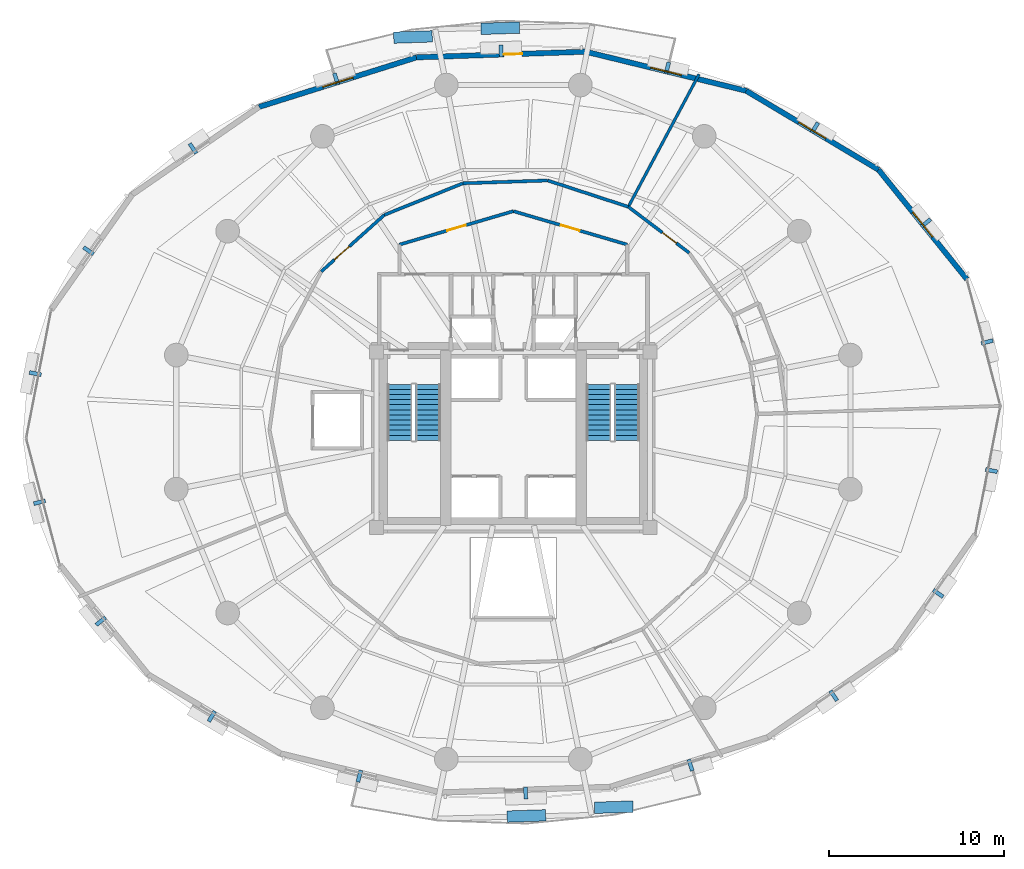
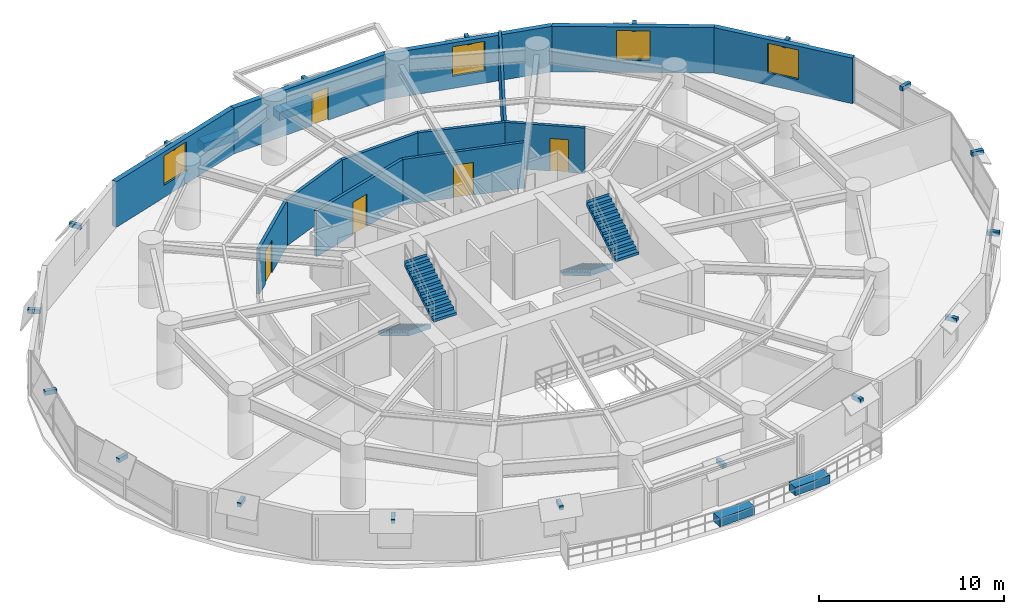
# One storey, part 12 of 15: 22 discrete accessories, 13 walls, 5 doors, 4 stair flights, 4 windows, 9 openings, 2 elements without a shape of their own.
"""IFC4 building model written with IfcOpenShell, lengths in metres."""

from ifc_helpers import new_model, si_unit, direction, frame, frame_2d, origin, origin_2d, place, context, subcontext, project, spatial, polyline, rectangle, outline, extrude, material, layer, layer_set, type_object, element, fill, aggregate, save


model = new_model("IFC4")

# Units and contexts
model_context = context("Model", 3, precision=1e-05, world=origin(), true_north=direction((0.0, 1.0)))
body_context = subcontext(model_context, "Body", "Model", "MODEL_VIEW")
ifc_project = project(units=[si_unit("LENGTHUNIT", "METRE"), si_unit("AREAUNIT", "SQUARE_METRE"), si_unit("VOLUMEUNIT", "CUBIC_METRE"), si_unit("PLANEANGLEUNIT", "RADIAN"), si_unit("MASSUNIT", "GRAM", prefix="KILO"), si_unit("THERMODYNAMICTEMPERATUREUNIT", "KELVIN"), si_unit("POWERUNIT", "WATT")], contexts=[model_context])

# Site, building, storey
site_placement = place(None, origin())
site = spatial("IfcSite", under=ifc_project, at=site_placement, CompositionType="ELEMENT")
building_placement = place(site_placement, origin())
building = spatial("IfcBuilding", under=site, at=building_placement, Name="Ocrelia Relay Tower", CompositionType="ELEMENT")
storey_placement = place(building_placement, frame((0.0, 0.0, 38.39990234375)))
storey = spatial("IfcBuildingStorey", under=building, at=storey_placement, Name="L08", CompositionType="ELEMENT", Elevation=38.39990234375)

# Wall, opening, door
ifc_material_1 = material(Name="Gypsum Fireboard Partition EI60", Category="gypsum")
ifc_layer_1 = layer(ifc_material_1, 0.179931640625, Name="Gypsum Fireboard Partition EI60")
ifc_layer_set_1 = layer_set([ifc_layer_1], Name="Gypsum Fireboard Partition EI60")
wall_type_1 = type_object("IfcWallType", Name="W-CORR-EI60-180", PredefinedType="PARTITIONING", material=ifc_layer_set_1)
wall_1_placement = place(storey_placement, frame((27.5, 36.122802734375, 0.0), z_axis=(0.0, 0.0, 1.0), x_axis=(0.959546654541, 0.281549671923, 0.0)))
wall_1 = element("IfcWall", 1, at=wall_1_placement, inside=storey, type_object=wall_type_1, Name="L08 North Smoke Lobby W Screen Wall", PredefinedType="PARTITIONING", context=body_context, shape_type="SweptSolid", body=[
    extrude(rectangle(XDim=6.77392578125, YDim=0.179931640625, at=frame_2d((3.386962890625, 0.0))), origin(), (0.0, 0.0, 1.0), 3.0),
])
opening_1_placement = place(wall_1_placement, frame((2.8369140625, 0.0, 0.0)))
opening_1 = element("IfcOpeningElement", 2, at=opening_1_placement, cuts=wall_1, Name="Opening D-FD60", PredefinedType="OPENING", context=body_context, shape_type="SweptSolid", body=[
    extrude(rectangle(XDim=1.10009765625, YDim=2.14990234375, at=frame_2d((0.550048828125, 1.074951171875))), frame((0.0, 0.10009765625, 0.0), z_axis=(0.0, -1.0, 0.0), x_axis=(1.0, 0.0, 0.0)), (0.0, 0.0, 1.0), 0.199951171875),
])
ifc_material_2 = material(Name="Timber-core 60-min acoustic fire door", Category="wood")
door_type_1 = type_object("IfcDoorType", Name="DR-LOBBY-FD60-1100", OperationType="NOTDEFINED", PredefinedType="DOOR", material=ifc_material_2)
door_1_placement = place(opening_1_placement, origin())
door_1 = element("IfcDoor", 3, at=door_1_placement, inside=storey, type_object=door_type_1, Name="L08 North Smoke Lobby W Fire Door", OperationType="SINGLE_SWING_RIGHT", OverallHeight=2.14990234375, OverallWidth=1.10009765625, PredefinedType="DOOR", context=body_context, shape_type="SweptSolid", body=[
    extrude(rectangle(XDim=1.10009765625, YDim=2.14990234375, at=frame_2d((0.550048828125, 1.074951171875))), frame((0.0, 0.02490234375, 0.0), z_axis=(0.0, -1.0, 0.0), x_axis=(1.0, 0.0, 0.0)), (0.0, 0.0, 1.0), 0.050048828125),
])
fill(opening_1, door_1)

wall_2_placement = place(storey_placement, frame((34.0, 38.030029296875, 0.0), z_axis=(0.0, 0.0, 1.0), x_axis=(0.959546654541, -0.281549671923, 0.0)))
wall_2 = element("IfcWall", 4, at=wall_2_placement, inside=storey, type_object=wall_type_1, Name="L08 North Smoke Lobby E Screen Wall", PredefinedType="PARTITIONING", context=body_context, shape_type="SweptSolid", body=[
    extrude(rectangle(XDim=6.77392578125, YDim=0.179931640625, at=frame_2d((3.386962890625, 0.0))), origin(), (0.0, 0.0, 1.0), 3.0),
])
opening_2_placement = place(wall_2_placement, frame((2.8369140625, 0.0, 0.0)))
opening_2 = element("IfcOpeningElement", 5, at=opening_2_placement, cuts=wall_2, Name="Opening D-FD60", PredefinedType="OPENING", context=body_context, shape_type="SweptSolid", body=[
    extrude(rectangle(XDim=1.10009765625, YDim=2.14990234375, at=frame_2d((0.550048828125, 1.074951171875))), frame((0.0, 0.10009765625, 0.0), z_axis=(0.0, -1.0, 0.0), x_axis=(1.0, 0.0, 0.0)), (0.0, 0.0, 1.0), 0.199951171875),
])
door_2_placement = place(opening_2_placement, origin())
door_2 = element("IfcDoor", 6, at=door_2_placement, inside=storey, type_object=door_type_1, Name="L08 North Smoke Lobby E Fire Door", OperationType="SINGLE_SWING_LEFT", OverallHeight=2.14990234375, OverallWidth=1.10009765625, PredefinedType="DOOR", context=body_context, shape_type="SweptSolid", body=[
    extrude(rectangle(XDim=1.10009765625, YDim=2.14990234375, at=frame_2d((0.550048828125, 1.074951171875))), frame((0.0, 0.02490234375, 0.0), z_axis=(0.0, -1.0, 0.0), x_axis=(1.0, 0.0, 0.0)), (0.0, 0.0, 1.0), 0.050048828125),
])
fill(opening_2, door_2)

wall_3_placement = place(storey_placement, frame((44.030029296875, 35.652099609375, 0.0), z_axis=(0.0, 0.0, 1.0), x_axis=(-0.797571843353, 0.603223967271, 0.0)))
wall_3 = element("IfcWall", 7, at=wall_3_placement, inside=storey, type_object=wall_type_1, Name="L08 Operations Control Office Corridor Partition 2", PredefinedType="PARTITIONING", context=body_context, shape_type="SweptSolid", body=[
    extrude(rectangle(XDim=4.355224609375, YDim=0.179931640625, at=frame_2d((2.177734375, 0.0))), origin(), (0.0, 0.0, 1.0), 3.0),
])
opening_3_placement = place(wall_3_placement, frame((0.913818359375, 0.0, 0.0)))
opening_3 = element("IfcOpeningElement", 8, at=opening_3_placement, cuts=wall_3, Name="Opening D-RM100", PredefinedType="OPENING", context=body_context, shape_type="SweptSolid", body=[
    extrude(rectangle(XDim=1.0, YDim=2.14990234375, at=frame_2d((0.5, 1.074951171875))), frame((0.0, 0.10009765625, 0.0), z_axis=(0.0, -1.0, 0.0), x_axis=(1.0, 0.0, 0.0)), (0.0, 0.0, 1.0), 0.199951171875),
])
ifc_material_3 = material(Name="Acoustic oak veneer fire door", Category="wood")
door_type_2 = type_object("IfcDoorType", Name="DR-ROOM-FD60-1000", OperationType="NOTDEFINED", PredefinedType="DOOR", material=ifc_material_3)
door_3_placement = place(opening_3_placement, origin())
door_3 = element("IfcDoor", 9, at=door_3_placement, inside=storey, type_object=door_type_2, Name="L08 Operations Control Office Entrance Door", OperationType="SINGLE_SWING_RIGHT", OverallHeight=2.14990234375, OverallWidth=1.0, PredefinedType="DOOR", context=body_context, shape_type="SweptSolid", body=[
    extrude(rectangle(XDim=1.0, YDim=2.14990234375, at=frame_2d((0.5, 1.074951171875))), frame((0.0, 0.02490234375, 0.0), z_axis=(0.0, -1.0, 0.0), x_axis=(1.0, 0.0, 0.0)), (0.0, 0.0, 1.0), 0.050048828125),
])
fill(opening_3, door_3)

# Walls
wall_4_placement = place(storey_placement, frame((40.556396484375, 38.279296875, 0.0), z_axis=(0.0, 0.0, 1.0), x_axis=(-0.950530313845, 0.310631811734, 0.0)))
element("IfcWall", 10, at=wall_4_placement, inside=storey, type_object=wall_type_1, Name="L08 Colocation Data Hall A Corridor Partition 1", PredefinedType="PARTITIONING", context=body_context, shape_type="SweptSolid", body=[
    extrude(rectangle(XDim=4.83447265625, YDim=0.179931640625, at=frame_2d((2.417236328125, 0.0))), origin(), (0.0, 0.0, 1.0), 3.0),
])
wall_5_placement = place(storey_placement, frame((35.961181640625, 39.781005859375, 0.0), z_axis=(0.0, 0.0, 1.0), x_axis=(-0.99945105558, -0.033129858133, 0.0)))
element("IfcWall", 11, at=wall_5_placement, inside=storey, type_object=wall_type_1, Name="L08 Colocation Data Hall A Corridor Partition 2", PredefinedType="PARTITIONING", context=body_context, shape_type="SweptSolid", body=[
    extrude(rectangle(XDim=4.834228515625, YDim=0.179931640625, at=frame_2d((2.4169921875, 0.0))), origin(), (0.0, 0.0, 1.0), 3.0),
])
wall_6_placement = place(storey_placement, frame((31.129638671875, 39.620849609375, 0.0), z_axis=(0.0, 0.0, 1.0), x_axis=(-0.927834482528, -0.37299218897, 0.0)))
element("IfcWall", 12, at=wall_6_placement, inside=storey, type_object=wall_type_1, Name="L08 Colocation Data Hall A Corridor Partition 3", PredefinedType="PARTITIONING", context=body_context, shape_type="SweptSolid", body=[
    extrude(rectangle(XDim=4.83447265625, YDim=0.179931640625, at=frame_2d((2.417236328125, 0.0))), origin(), (0.0, 0.0, 1.0), 3.0),
])

# Wall, opening, door
wall_7_placement = place(storey_placement, frame((26.64404296875, 37.817626953125, 0.0), z_axis=(0.0, 0.0, 1.0), x_axis=(-0.744302787757, -0.667842316821, 0.0)))
wall_7 = element("IfcWall", 13, at=wall_7_placement, inside=storey, type_object=wall_type_1, Name="L08 Colocation Data Hall A Corridor Partition 4", PredefinedType="PARTITIONING", context=body_context, shape_type="SweptSolid", body=[
    extrude(rectangle(XDim=4.834228515625, YDim=0.179931640625, at=frame_2d((2.4169921875, 0.0))), origin(), (0.0, 0.0, 1.0), 3.0),
])
opening_4_placement = place(wall_7_placement, frame((2.688232421875, 0.0, 0.0)))
opening_4 = element("IfcOpeningElement", 14, at=opening_4_placement, cuts=wall_7, Name="Opening D-RM115", PredefinedType="OPENING", context=body_context, shape_type="SweptSolid", body=[
    extrude(rectangle(XDim=1.14990234375, YDim=2.14990234375, at=frame_2d((0.574951171875, 1.074951171875))), frame((0.0, 0.10009765625, 0.0), z_axis=(0.0, -1.0, 0.0), x_axis=(1.0, 0.0, 0.0)), (0.0, 0.0, 1.0), 0.199951171875),
])
ifc_material_4 = material(Name="Wide acoustic oak veneer fire door", Category="wood")
door_type_3 = type_object("IfcDoorType", Name="DR-ROOM-1150", OperationType="NOTDEFINED", PredefinedType="DOOR", material=ifc_material_4)
door_4_placement = place(opening_4_placement, origin())
door_4 = element("IfcDoor", 15, at=door_4_placement, inside=storey, type_object=door_type_3, Name="L08 Colocation Data Hall A Entrance Door", OperationType="SINGLE_SWING_LEFT", OverallHeight=2.14990234375, OverallWidth=1.14990234375, PredefinedType="DOOR", context=body_context, shape_type="SweptSolid", body=[
    extrude(rectangle(XDim=1.14990234375, YDim=2.14990234375, at=frame_2d((0.574951171875, 1.074951171875))), frame((0.0, 0.02490234375, 0.0), z_axis=(0.0, -1.0, 0.0), x_axis=(1.0, 0.0, 0.0)), (0.0, 0.0, 1.0), 0.050048828125),
])
fill(opening_4, door_4)

# Wall, opening, window
ifc_material_5 = material(Name="Precast concrete C40/50 with oxide terracotta", Category="masonry")
ifc_layer_2 = layer(ifc_material_5, 0.300048828125, Name="Precast concrete C40/50 with oxide terracotta")
ifc_layer_set_2 = layer_set([ifc_layer_2], Name="Precast concrete C40/50 with oxide terracotta")
wall_type_2 = type_object("IfcWallType", Name="W-EXT-TERR-300", PredefinedType="SOLIDWALL", material=ifc_layer_set_2)
wall_8_placement = place(storey_placement, frame((59.86767578125, 34.147216796875, 0.0), z_axis=(0.0, 0.0, 1.0), x_axis=(-0.627974320343, 0.778234060543, 0.0)))
wall_8 = element("IfcWall", 16, at=wall_8_placement, inside=storey, type_object=wall_type_2, Name="L08 Oxide Terracotta Facade Wall 02", PredefinedType="SOLIDWALL", context=body_context, shape_type="SweptSolid", body=[
    extrude(rectangle(XDim=8.021484375, YDim=0.300048828125, at=frame_2d((4.0107421875, 0.0))), origin(), (0.0, 0.0, 1.0), 3.0),
])
opening_5_placement = place(wall_8_placement, frame((3.111083984375, 0.0, 0.800048828125)))
opening_5 = element("IfcOpeningElement", 17, at=opening_5_placement, cuts=wall_8, Name="Opening W-02", PredefinedType="OPENING", context=body_context, shape_type="SweptSolid", body=[
    extrude(rectangle(XDim=1.800048828125, YDim=1.949951171875, at=frame_2d((0.89990234375, 0.97509765625))), frame((0.0, 0.16015625, 0.0), z_axis=(0.0, -1.0, 0.0), x_axis=(1.0, 0.0, 0.0)), (0.0, 0.0, 1.0), 0.320068359375),
])
ifc_material_6 = material(Name="Clear double-glazed low-E glass", Category="glass")
window_type = type_object("IfcWindowType", Name="WIN-Z1-1800x2100", PartitioningType="DOUBLE_PANEL_VERTICAL", PredefinedType="WINDOW", material=ifc_material_6)
window_1_placement = place(opening_5_placement, origin())
window_1 = element("IfcWindow", 18, at=window_1_placement, inside=storey, type_object=window_type, Name="L08 Facade Module Window 02", OverallHeight=1.949951171875, OverallWidth=1.800048828125, PartitioningType="SINGLE_PANEL", PredefinedType="WINDOW", context=body_context, shape_type="SweptSolid", body=[
    extrude(rectangle(XDim=1.800048828125, YDim=1.949951171875, at=frame_2d((0.89990234375, 0.97509765625))), frame((0.0, 0.030029296875, 0.0), z_axis=(0.0, -1.0, 0.0), x_axis=(1.0, 0.0, 0.0)), (0.0, 0.0, 1.0), 0.06005859375),
])
fill(opening_5, window_1)

wall_9_placement = place(storey_placement, frame((54.830322265625, 40.389892578125, 0.0), z_axis=(0.0, 0.0, 1.0), x_axis=(-0.85861541015, 0.512620305345, 0.0)))
wall_9 = element("IfcWall", 19, at=wall_9_placement, inside=storey, type_object=wall_type_2, Name="L08 Oxide Terracotta Facade Wall 03", PredefinedType="SOLIDWALL", context=body_context, shape_type="SweptSolid", body=[
    extrude(rectangle(XDim=8.792724609375, YDim=0.300048828125, at=frame_2d((4.396484375, 0.0))), origin(), (0.0, 0.0, 1.0), 3.0),
])
opening_6_placement = place(wall_9_placement, frame((3.49609375, 0.0, 0.800048828125)))
opening_6 = element("IfcOpeningElement", 20, at=opening_6_placement, cuts=wall_9, Name="Opening W-02", PredefinedType="OPENING", context=body_context, shape_type="SweptSolid", body=[
    extrude(rectangle(XDim=1.800048828125, YDim=1.949951171875, at=frame_2d((0.89990234375, 0.97509765625))), frame((0.0, 0.16015625, 0.0), z_axis=(0.0, -1.0, 0.0), x_axis=(1.0, 0.0, 0.0)), (0.0, 0.0, 1.0), 0.320068359375),
])
window_2_placement = place(opening_6_placement, origin())
window_2 = element("IfcWindow", 21, at=window_2_placement, inside=storey, type_object=window_type, Name="L08 Facade Module Window 03", OverallHeight=1.949951171875, OverallWidth=1.800048828125, PartitioningType="SINGLE_PANEL", PredefinedType="WINDOW", context=body_context, shape_type="SweptSolid", body=[
    extrude(rectangle(XDim=1.800048828125, YDim=1.949951171875, at=frame_2d((0.89990234375, 0.97509765625))), frame((0.0, 0.030029296875, 0.0), z_axis=(0.0, -1.0, 0.0), x_axis=(1.0, 0.0, 0.0)), (0.0, 0.0, 1.0), 0.06005859375),
])
fill(opening_6, window_2)

wall_10_placement = place(storey_placement, frame((47.28076171875, 44.897216796875, 0.0), z_axis=(0.0, 0.0, 1.0), x_axis=(-0.971624307671, 0.236529500787, 0.0)))
wall_10 = element("IfcWall", 22, at=wall_10_placement, inside=storey, type_object=wall_type_2, Name="L08 Oxide Terracotta Facade Wall 04", PredefinedType="SOLIDWALL", context=body_context, shape_type="SweptSolid", body=[
    extrude(rectangle(XDim=9.418701171875, YDim=0.300048828125, at=frame_2d((4.70947265625, 0.0))), origin(), (0.0, 0.0, 1.0), 3.0),
])
opening_7_placement = place(wall_10_placement, frame((3.80908203125, 0.0, 0.800048828125)))
opening_7 = element("IfcOpeningElement", 23, at=opening_7_placement, cuts=wall_10, Name="Opening W-02", PredefinedType="OPENING", context=body_context, shape_type="SweptSolid", body=[
    extrude(rectangle(XDim=1.800048828125, YDim=1.949951171875, at=frame_2d((0.89990234375, 0.97509765625))), frame((0.0, 0.16015625, 0.0), z_axis=(0.0, -1.0, 0.0), x_axis=(1.0, 0.0, 0.0)), (0.0, 0.0, 1.0), 0.320068359375),
])
window_3_placement = place(opening_7_placement, origin())
window_3 = element("IfcWindow", 24, at=window_3_placement, inside=storey, type_object=window_type, Name="L08 Facade Module Window 04", OverallHeight=1.949951171875, OverallWidth=1.800048828125, PartitioningType="SINGLE_PANEL", PredefinedType="WINDOW", context=body_context, shape_type="SweptSolid", body=[
    extrude(rectangle(XDim=1.800048828125, YDim=1.949951171875, at=frame_2d((0.89990234375, 0.97509765625))), frame((0.0, 0.030029296875, 0.0), z_axis=(0.0, -1.0, 0.0), x_axis=(1.0, 0.0, 0.0)), (0.0, 0.0, 1.0), 0.06005859375),
])
fill(opening_7, window_3)

# Wall, opening, door
wall_11_placement = place(storey_placement, frame((38.12939453125, 47.125, 0.0), z_axis=(0.0, 0.0, 1.0), x_axis=(-0.99944952804, -0.033175908432, 0.0)))
wall_11 = element("IfcWall", 25, at=wall_11_placement, inside=storey, type_object=wall_type_2, Name="L08 Oxide Terracotta Facade Wall 05", PredefinedType="SOLIDWALL", context=body_context, shape_type="SweptSolid", body=[
    extrude(rectangle(XDim=9.655029296875, YDim=0.300048828125, at=frame_2d((4.82763671875, 0.0))), origin(), (0.0, 0.0, 1.0), 3.0),
])
opening_8_placement = place(wall_11_placement, frame((3.6298828125, 0.0, 0.0)))
opening_8 = element("IfcOpeningElement", 26, at=opening_8_placement, cuts=wall_11, Name="Opening DB-105", PredefinedType="OPENING", context=body_context, shape_type="SweptSolid", body=[
    extrude(rectangle(XDim=1.050048828125, YDim=2.14990234375, at=frame_2d((0.52490234375, 1.074951171875))), frame((0.0, 0.16015625, 0.0), z_axis=(0.0, -1.0, 0.0), x_axis=(1.0, 0.0, 0.0)), (0.0, 0.0, 1.0), 0.320068359375),
])
ifc_material_7 = material(Name="Thermally broken aluminium and clear glass", Category="aluminium")
door_type_4 = type_object("IfcDoorType", Name="DR-BALC-1050", OperationType="NOTDEFINED", PredefinedType="DOOR", material=ifc_material_7)
door_5_placement = place(opening_8_placement, origin())
door_5 = element("IfcDoor", 27, at=door_5_placement, inside=storey, type_object=door_type_4, Name="L08 Planted Loggia Balcony Door B1", OperationType="SINGLE_SWING_LEFT", OverallHeight=2.14990234375, OverallWidth=1.050048828125, PredefinedType="DOOR", context=body_context, shape_type="SweptSolid", body=[
    extrude(rectangle(XDim=1.050048828125, YDim=2.14990234375, at=frame_2d((0.52490234375, 1.074951171875))), frame((0.0, 0.02490234375, 0.0), z_axis=(0.0, -1.0, 0.0), x_axis=(1.0, 0.0, 0.0)), (0.0, 0.0, 1.0), 0.050048828125),
])
fill(opening_8, door_5)

# Wall, opening, window
wall_12_placement = place(storey_placement, frame((28.479736328125, 46.8046875, 0.0), z_axis=(0.0, 0.0, 1.0), x_axis=(-0.953813909123, -0.300398113782, 0.0)))
wall_12 = element("IfcWall", 28, at=wall_12_placement, inside=storey, type_object=wall_type_2, Name="L08 Oxide Terracotta Facade Wall 06", PredefinedType="SOLIDWALL", context=body_context, shape_type="SweptSolid", body=[
    extrude(rectangle(XDim=9.418701171875, YDim=0.300048828125, at=frame_2d((4.70947265625, 0.0))), origin(), (0.0, 0.0, 1.0), 3.0),
])
opening_9_placement = place(wall_12_placement, frame((3.80908203125, 0.0, 0.800048828125)))
opening_9 = element("IfcOpeningElement", 29, at=opening_9_placement, cuts=wall_12, Name="Opening W-02", PredefinedType="OPENING", context=body_context, shape_type="SweptSolid", body=[
    extrude(rectangle(XDim=1.800048828125, YDim=1.949951171875, at=frame_2d((0.89990234375, 0.97509765625))), frame((0.0, 0.16015625, 0.0), z_axis=(0.0, -1.0, 0.0), x_axis=(1.0, 0.0, 0.0)), (0.0, 0.0, 1.0), 0.320068359375),
])
window_4_placement = place(opening_9_placement, origin())
window_4 = element("IfcWindow", 30, at=window_4_placement, inside=storey, type_object=window_type, Name="L08 Facade Module Window 06", OverallHeight=1.949951171875, OverallWidth=1.800048828125, PartitioningType="SINGLE_PANEL", PredefinedType="WINDOW", context=body_context, shape_type="SweptSolid", body=[
    extrude(rectangle(XDim=1.800048828125, YDim=1.949951171875, at=frame_2d((0.89990234375, 0.97509765625))), frame((0.0, 0.030029296875, 0.0), z_axis=(0.0, -1.0, 0.0), x_axis=(1.0, 0.0, 0.0)), (0.0, 0.0, 1.0), 0.06005859375),
])
fill(opening_9, window_4)

# Wall
ifc_material_8 = material(Name="Acoustic Fireboard Partition EI60", Category="gypsum")
ifc_layer_3 = layer(ifc_material_8, 0.159912109375, Name="Acoustic Fireboard Partition EI60")
ifc_layer_set_3 = layer_set([ifc_layer_3], Name="Acoustic Fireboard Partition EI60")
wall_type_3 = type_object("IfcWallType", Name="W-PART-160", PredefinedType="PARTITIONING", material=ifc_layer_set_3)
wall_13_placement = place(storey_placement, frame((40.556396484375, 38.279296875, 0.0), z_axis=(0.0, 0.0, 1.0), x_axis=(0.471021282729, 0.882121846015, 0.0)))
element("IfcWall", 31, at=wall_13_placement, inside=storey, type_object=wall_type_3, Name="L08 Operations Control Office Radial Partition", PredefinedType="PARTITIONING", context=body_context, shape_type="SweptSolid", body=[
    extrude(rectangle(XDim=8.572509765625, YDim=0.159912109375, at=frame_2d((4.2861328125, 0.0))), origin(), (0.0, 0.0, 1.0), 3.0),
])

# Stair, stair flights
ifc_material_9 = material(Name="Concrete C50/60", Category="concrete")
stair_type = type_object("IfcStairType", Name="ST-DL-1420-R175", PredefinedType="HALF_TURN_STAIR", material=ifc_material_9)
stair_1_placement = place(storey_placement, origin())
stair_1 = element("IfcStair", 32, at=stair_1_placement, inside=storey, type_object=stair_type, Name="L08 West Core Exit Stair ST1", PredefinedType="HALF_TURN_STAIR")
stair_flight_type = type_object("IfcStairFlightType", Name="STF-DL-1420-R175", PredefinedType="STRAIGHT", material=ifc_material_9)
stair_flight_1_placement = place(storey_placement, frame((27.52001953125, 28.14990234375, 0.0), z_axis=(0.0, 0.0, 1.0), x_axis=(0.0, -1.0, 0.0)))
stair_flight_1 = element("IfcStairFlight", 33, at=stair_flight_1_placement, type_object=stair_flight_type, Name="ST1 flight 1", NumberOfRisers=12, NumberOfTreads=11, PredefinedType="STRAIGHT", RiserHeight=0.175, TreadLength=0.29, context=body_context, shape_type="SweptSolid", body=[
    extrude(outline(polyline([(-0.008056640625, 0.0), (-0.008056640625, 0.175048828125), (0.0, 0.175048828125), (0.2900390625, 0.175048828125), (0.2900390625, 0.35009765625), (0.580078125, 0.35009765625), (0.580078125, 0.52490234375), (0.8701171875, 0.52490234375), (0.8701171875, 0.699951171875), (1.159912109375, 0.699951171875), (1.159912109375, 0.875), (1.449951171875, 0.875), (1.449951171875, 1.050048828125), (1.739990234375, 1.050048828125), (1.739990234375, 1.22509765625), (2.030029296875, 1.22509765625), (2.030029296875, 1.39990234375), (2.320068359375, 1.39990234375), (2.320068359375, 1.574951171875), (2.610107421875, 1.574951171875), (2.610107421875, 1.75), (2.89990234375, 1.75), (2.89990234375, 1.925048828125), (3.18994140625, 1.925048828125), (3.18994140625, 2.10009765625), (3.197998046875, 2.10009765625), (3.197998046875, 1.75), (0.2900390625, 0.0), (-0.008056640625, 0.0)])), frame((0.0, 0.7099609375, 0.0), z_axis=(0.0, -1.0, 0.0), x_axis=(1.0, 0.0, 0.0)), (0.0, 0.0, 1.0), 1.419921875),
])
stair_flight_2_placement = place(storey_placement, frame((29.139892578125, 24.9599609375, 2.10009765625), z_axis=(0.0, 0.0, 1.0), x_axis=(0.0, 1.0, 0.0)))
stair_flight_2 = element("IfcStairFlight", 34, at=stair_flight_2_placement, type_object=stair_flight_type, Name="ST1 flight 2", NumberOfRisers=12, NumberOfTreads=11, PredefinedType="STRAIGHT", RiserHeight=0.175, TreadLength=0.29, context=body_context, shape_type="SweptSolid", body=[
    extrude(outline(polyline([(-0.008056640625, 0.0), (-0.008056640625, 0.175048828125), (0.0, 0.175048828125), (0.2900390625, 0.175048828125), (0.2900390625, 0.35009765625), (0.580078125, 0.35009765625), (0.580078125, 0.52490234375), (0.8701171875, 0.52490234375), (0.8701171875, 0.699951171875), (1.159912109375, 0.699951171875), (1.159912109375, 0.875), (1.449951171875, 0.875), (1.449951171875, 1.050048828125), (1.739990234375, 1.050048828125), (1.739990234375, 1.22509765625), (2.030029296875, 1.22509765625), (2.030029296875, 1.39990234375), (2.320068359375, 1.39990234375), (2.320068359375, 1.574951171875), (2.610107421875, 1.574951171875), (2.610107421875, 1.75), (2.89990234375, 1.75), (2.89990234375, 1.925048828125), (3.18994140625, 1.925048828125), (3.18994140625, 2.10009765625), (3.197998046875, 2.10009765625), (3.197998046875, 1.75), (0.2900390625, 0.0), (-0.008056640625, 0.0)])), frame((0.0, 0.7099609375, 0.0), z_axis=(0.0, -1.0, 0.0), x_axis=(1.0, 0.0, 0.0)), (0.0, 0.0, 1.0), 1.419921875),
])
aggregate(stair_1, [stair_flight_1, stair_flight_2])

stair_2_placement = place(storey_placement, origin())
stair_2 = element("IfcStair", 35, at=stair_2_placement, inside=storey, type_object=stair_type, Name="L08 East Core Exit Stair ST2", PredefinedType="HALF_TURN_STAIR")
stair_flight_3_placement = place(storey_placement, frame((38.8701171875, 28.14990234375, 0.0), z_axis=(0.0, 0.0, 1.0), x_axis=(0.0, -1.0, 0.0)))
stair_flight_3 = element("IfcStairFlight", 36, at=stair_flight_3_placement, type_object=stair_flight_type, Name="ST2 flight 1", NumberOfRisers=12, NumberOfTreads=11, PredefinedType="STRAIGHT", RiserHeight=0.175, TreadLength=0.29, context=body_context, shape_type="SweptSolid", body=[
    extrude(outline(polyline([(-0.008056640625, 0.0), (-0.008056640625, 0.175048828125), (0.0, 0.175048828125), (0.2900390625, 0.175048828125), (0.2900390625, 0.35009765625), (0.580078125, 0.35009765625), (0.580078125, 0.52490234375), (0.8701171875, 0.52490234375), (0.8701171875, 0.699951171875), (1.159912109375, 0.699951171875), (1.159912109375, 0.875), (1.449951171875, 0.875), (1.449951171875, 1.050048828125), (1.739990234375, 1.050048828125), (1.739990234375, 1.22509765625), (2.030029296875, 1.22509765625), (2.030029296875, 1.39990234375), (2.320068359375, 1.39990234375), (2.320068359375, 1.574951171875), (2.610107421875, 1.574951171875), (2.610107421875, 1.75), (2.89990234375, 1.75), (2.89990234375, 1.925048828125), (3.18994140625, 1.925048828125), (3.18994140625, 2.10009765625), (3.197998046875, 2.10009765625), (3.197998046875, 1.75), (0.2900390625, 0.0), (-0.008056640625, 0.0)])), frame((0.0, 0.7099609375, 0.0), z_axis=(0.0, -1.0, 0.0), x_axis=(1.0, 0.0, 0.0)), (0.0, 0.0, 1.0), 1.419921875),
])
stair_flight_4_placement = place(storey_placement, frame((40.489990234375, 24.9599609375, 2.10009765625), z_axis=(0.0, 0.0, 1.0), x_axis=(0.0, 1.0, 0.0)))
stair_flight_4 = element("IfcStairFlight", 37, at=stair_flight_4_placement, type_object=stair_flight_type, Name="ST2 flight 2", NumberOfRisers=12, NumberOfTreads=11, PredefinedType="STRAIGHT", RiserHeight=0.175, TreadLength=0.29, context=body_context, shape_type="SweptSolid", body=[
    extrude(outline(polyline([(-0.008056640625, 0.0), (-0.008056640625, 0.175048828125), (0.0, 0.175048828125), (0.2900390625, 0.175048828125), (0.2900390625, 0.35009765625), (0.580078125, 0.35009765625), (0.580078125, 0.52490234375), (0.8701171875, 0.52490234375), (0.8701171875, 0.699951171875), (1.159912109375, 0.699951171875), (1.159912109375, 0.875), (1.449951171875, 0.875), (1.449951171875, 1.050048828125), (1.739990234375, 1.050048828125), (1.739990234375, 1.22509765625), (2.030029296875, 1.22509765625), (2.030029296875, 1.39990234375), (2.320068359375, 1.39990234375), (2.320068359375, 1.574951171875), (2.610107421875, 1.574951171875), (2.610107421875, 1.75), (2.89990234375, 1.75), (2.89990234375, 1.925048828125), (3.18994140625, 1.925048828125), (3.18994140625, 2.10009765625), (3.197998046875, 2.10009765625), (3.197998046875, 1.75), (0.2900390625, 0.0), (-0.008056640625, 0.0)])), frame((0.0, 0.7099609375, 0.0), z_axis=(0.0, -1.0, 0.0), x_axis=(1.0, 0.0, 0.0)), (0.0, 0.0, 1.0), 1.419921875),
])
aggregate(stair_2, [stair_flight_3, stair_flight_4])

# Discrete accessories
ifc_material_10 = material(Name="Precast concrete C40/50 planter with highland greenery", Category="concrete")
discrete_accessory_type_1 = type_object("IfcDiscreteAccessoryType", Name="ACC-BALC-PLANTER", PredefinedType="USERDEFINED", material=ifc_material_10)
for number, where, z_axis, x_axis, name in (
    (38, (33.2548828125, 48.465087890625, 0.0), (0.0, 0.0, 1.0), (0.9994502636, 0.033153741708, 0.0), "L08 Balcony Terracotta Planter with Greenery B1"),
    (39, (28.27490234375, 47.964111328125, 0.0), (0.0, 0.0, 1.0), (0.9994502636, 0.033153741708, 0.0), "L08 Balcony Terracotta Planter B1-2"),
    (40, (34.7451171875, 3.534912109375, 0.0), (0.0, 0.0, 1.0), (-0.9994502636, -0.033153741708, 0.0), "L08 Balcony Terracotta Planter with Greenery B2"),
    (41, (39.72509765625, 4.035888671875, 0.0), (0.0, 0.0, 1.0), (-0.9994502636, -0.033153741708, 0.0), "L08 Balcony Terracotta Planter B2-2"),
):
    element("IfcDiscreteAccessory", number, at=place(storey_placement, frame(where, z_axis=z_axis, x_axis=x_axis)), inside=storey, type_object=discrete_accessory_type_1, Name=name, ObjectType="PLANTER", PredefinedType="USERDEFINED", context=body_context, shape_type="SweptSolid", body=[
        extrude(rectangle(XDim=2.199951171875, YDim=0.64990234375, at=origin_2d()), origin(), (0.0, 0.0, 1.0), 0.550048828125),
    ])
ifc_material_11 = material(Name="Steel S355", Category="steel")
discrete_accessory_type_2 = type_object("IfcDiscreteAccessoryType", Name="ACC-VISOR-BRACKET", PredefinedType="BRACKET", material=ifc_material_11)
for number, where, z_axis, x_axis, name in (
    (42, (61.0234375, 30.56787109375, 2.7001953125), (0.0, 0.0, 1.0), (-0.256451022093, 0.966557227104, 0.0), "L08 Visor Mounting Bracket 01"),
    (43, (57.529052734375, 37.35546875, 2.7001953125), (0.0, 0.0, 1.0), (-0.627961253838, 0.778244604015, 0.0), "L08 Visor Mounting Bracket 02"),
    (44, (51.19873046875, 42.783203125, 2.7001953125), (0.0, 0.0, 1.0), (-0.858622807297, 0.512607915263, 0.0), "L08 Visor Mounting Bracket 03"),
    (45, (42.784912109375, 46.1943359375, 2.7001953125), (0.0, 0.0, 1.0), (-0.971624686713, 0.23652794374, 0.0), "L08 Visor Mounting Bracket 04"),
    (46, (33.2978515625, 47.164794921875, 2.7001953125), (0.0, 0.0, 1.0), (-0.999450239567, -0.033154466215, 0.0), "L08 Visor Mounting Bracket 05"),
    (47, (23.896240234375, 45.56787109375, 2.7001953125), (0.0, 0.0, 1.0), (-0.953809765377, -0.300411270547, 0.0), "L08 Visor Mounting Bracket 06"),
    (48, (15.726806640625, 41.6064453125, 2.7001953125), (0.0, 0.0, 1.0), (-0.822773563062, -0.568369302414, 0.0), "L08 Visor Mounting Bracket 07"),
    (49, (9.77001953125, 35.771240234375, 2.7001953125), (0.0, 0.0, 1.0), (-0.574989950059, -0.818160471626, 0.0), "L08 Visor Mounting Bracket 08"),
    (50, (6.7333984375, 28.766845703125, 2.7001953125), (0.0, 0.0, 1.0), (-0.19184131157, -0.981425958071, 0.0), "L08 Visor Mounting Bracket 09"),
    (51, (6.9765625, 21.43212890625, 2.7001953125), (0.0, 0.0, 1.0), (0.256451022093, -0.966557227104, 0.0), "L08 Visor Mounting Bracket 10"),
    (52, (10.470947265625, 14.64453125, 2.7001953125), (0.0, 0.0, 1.0), (0.627961253838, -0.778244604015, 0.0), "L08 Visor Mounting Bracket 11"),
    (53, (16.80126953125, 9.216796875, 2.7001953125), (0.0, 0.0, 1.0), (0.858622807297, -0.512607915263, 0.0), "L08 Visor Mounting Bracket 12"),
    (54, (25.215087890625, 5.8056640625, 2.7001953125), (0.0, 0.0, 1.0), (0.971624686713, -0.23652794374, 0.0), "L08 Visor Mounting Bracket 13"),
    (55, (34.7021484375, 4.835205078125, 2.7001953125), (0.0, 0.0, 1.0), (0.999450239567, 0.033154466215, 0.0), "L08 Visor Mounting Bracket 14"),
    (56, (44.103759765625, 6.43212890625, 2.7001953125), (0.0, 0.0, 1.0), (0.953809765377, 0.300411270547, 0.0), "L08 Visor Mounting Bracket 15"),
    (57, (52.273193359375, 10.3935546875, 2.7001953125), (0.0, 0.0, 1.0), (0.822773563062, 0.568369302414, 0.0), "L08 Visor Mounting Bracket 16"),
    (58, (58.22998046875, 16.228759765625, 2.7001953125), (0.0, 0.0, 1.0), (0.574989950059, 0.818160471626, 0.0), "L08 Visor Mounting Bracket 17"),
    (59, (61.2666015625, 23.233154296875, 2.7001953125), (0.0, 0.0, 1.0), (0.19184131157, 0.981425958071, 0.0), "L08 Visor Mounting Bracket 18"),
):
    element("IfcDiscreteAccessory", number, at=place(storey_placement, frame(where, z_axis=z_axis, x_axis=x_axis)), inside=storey, type_object=discrete_accessory_type_2, Name=name, PredefinedType="BRACKET", context=body_context, shape_type="SweptSolid", body=[
        extrude(rectangle(XDim=0.219970703125, YDim=0.679931640625, at=origin_2d()), origin(), (0.0, 0.0, 1.0), 0.280029296875),
    ])

save(model, "model.ifc")
